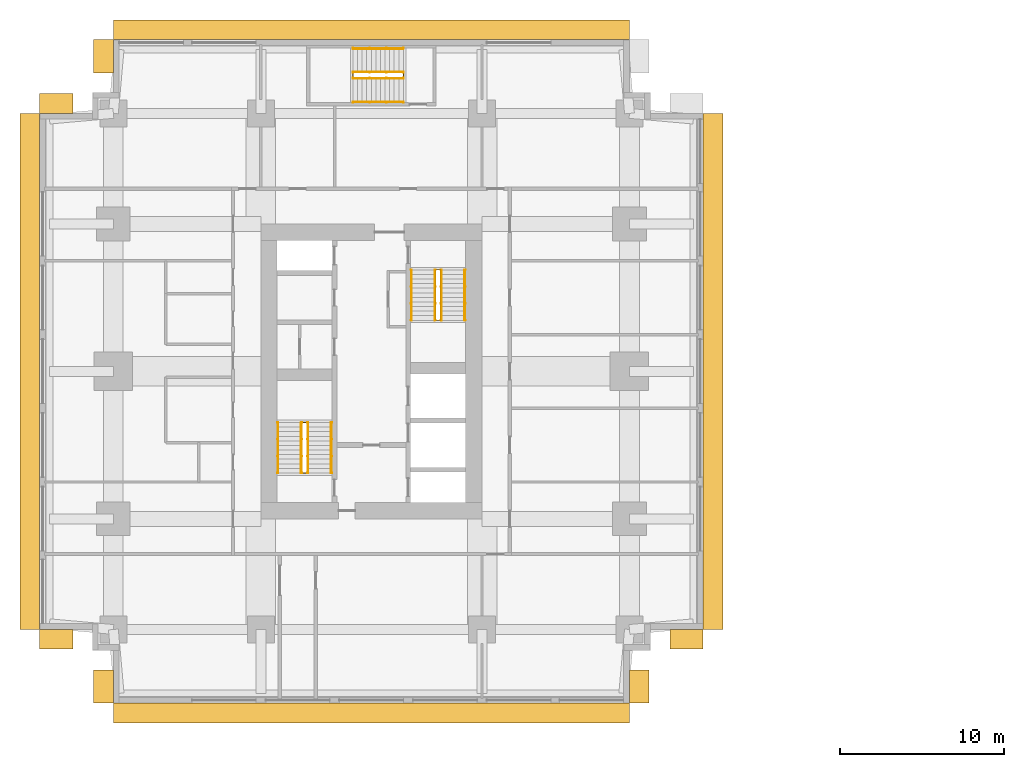
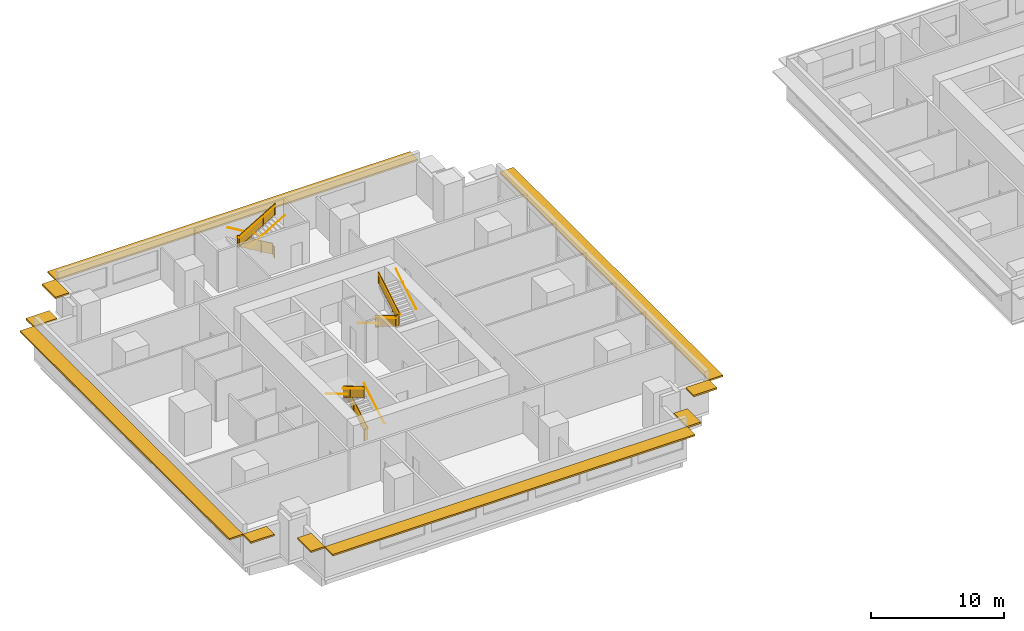
# One storey, part 10 of 11: 15 railings, 10 shading devices.
"""IFC4 building model written with IfcOpenShell, lengths in metres."""

import ifcopenshell
import ifcopenshell.guid

model = None  # the IFC model being written
_history = None  # IfcOwnerHistory: only IFC2X3 demands one
_inside = {}  # id of a spatial element -> (the spatial element, [elements in it])
_under = {}  # id of a project, library or spatial element -> (it, [spatial elements below it])
_declared = {}  # id of a project -> (the project, [libraries it declares])
_typed = {}  # id of a type object -> (the type object, [elements of that type])
_made_of = {}  # id of a material, layer set ... -> (it, [elements and type objects made of it])


def new_model(schema):
    """Start an empty IFC model of exactly this schema.

    Asked for "IFC4X3", IfcOpenShell would pick the latest addendum, in which some entities
    have other attributes; the version numbers below select the first issue.
    IFC2X3 requires an IfcOwnerHistory on every rooted entity: one is made here for all.
    """
    global model, _history
    if schema == "IFC4X3":
        model = ifcopenshell.file(schema_version=(4, 3, 0, 0))
    else:
        model = ifcopenshell.file(schema=schema)
    _inside.clear()
    _under.clear()
    _declared.clear()
    _typed.clear()
    _made_of.clear()
    _history = None
    if model.schema == "IFC2X3":
        org = make("IfcOrganization", Name="unknown")
        user = make(
            "IfcPersonAndOrganization",
            ThePerson=make("IfcPerson", FamilyName="unknown"),
            TheOrganization=org,
        )
        app = make(
            "IfcApplication",
            ApplicationDeveloper=org,
            Version="unknown",
            ApplicationFullName="unknown",
            ApplicationIdentifier="unknown",
        )
        _history = make(
            "IfcOwnerHistory",
            OwningUser=user,
            OwningApplication=app,
            ChangeAction="ADDED",
            CreationDate=0,
        )
    return model


def make(cls, **values):
    """One entity of the class cls with the attributes given. An attribute that is None is left unset."""
    return model.create_entity(
        cls, **{name: value for name, value in values.items() if value is not None}
    )


def rooted(cls, **values):
    """An entity with a GlobalId (a new one), such as an element, a storey or a relation."""
    return make(cls, GlobalId=ifcopenshell.guid.new(), OwnerHistory=_history, **values)


def si_unit(unit_type, name, prefix=None):
    """IfcSIUnit, for example si_unit("LENGTHUNIT", "METRE", prefix="MILLI")."""
    return make("IfcSIUnit", UnitType=unit_type, Prefix=prefix, Name=name)


def assignment(units):
    """IfcUnitAssignment: the units of a project."""
    return None if units is None else make("IfcUnitAssignment", Units=units)


def point(xyz):
    """IfcCartesianPoint."""
    return None if xyz is None else make("IfcCartesianPoint", Coordinates=xyz)


def direction(xyz):
    """IfcDirection."""
    return None if xyz is None else make("IfcDirection", DirectionRatios=xyz)


def frame(location, z_axis=None, x_axis=None):
    """IfcAxis2Placement3D, a coordinate frame: its origin and axes. An axis left out is left unset."""
    return make(
        "IfcAxis2Placement3D",
        Location=point(location),
        Axis=direction(z_axis),
        RefDirection=direction(x_axis),
    )


def frame_2d(location, x_axis=None):
    """IfcAxis2Placement2D, a coordinate frame in the plane: its origin and x axis."""
    return make(
        "IfcAxis2Placement2D", Location=point(location), RefDirection=direction(x_axis)
    )


def origin():
    """The frame at (0, 0, 0) with its axes left unset."""
    return frame((0.0, 0.0, 0.0))


def origin_2d():
    """The frame at (0, 0) in the plane with its x axis left unset."""
    return frame_2d((0.0, 0.0))


def place(relative_to, where):
    """IfcLocalPlacement: puts the frame where relative to a parent placement (None: the world)."""
    return make(
        "IfcLocalPlacement", PlacementRelTo=relative_to, RelativePlacement=where
    )


def context(
    kind, dimensions, precision=None, world=None, true_north=None, identifier=None
):
    """IfcGeometricRepresentationContext, for example the 3D "Model" context."""
    return make(
        "IfcGeometricRepresentationContext",
        ContextIdentifier=identifier,
        ContextType=kind,
        CoordinateSpaceDimension=dimensions,
        Precision=precision,
        WorldCoordinateSystem=world,
        TrueNorth=true_north,
    )


def subcontext(parent, identifier, kind, view, scale=None):
    """IfcGeometricRepresentationSubContext, for example "Body" below "Model"."""
    return make(
        "IfcGeometricRepresentationSubContext",
        ContextIdentifier=identifier,
        ContextType=kind,
        ParentContext=parent,
        TargetScale=scale,
        TargetView=view,
    )


def project(units=None, contexts=None):
    """IfcProject with its units and contexts."""
    return rooted(
        "IfcProject",
        Name="project",
        RepresentationContexts=contexts,
        UnitsInContext=assignment(units),
    )


def spatial(cls, under=None, at=None, **own):
    """A site, building, storey or space (cls), placed at a placement, below another one or the project."""
    s = rooted(cls, ObjectPlacement=at, **own)
    if under is not None:
        _under.setdefault(under.id(), (under, []))[1].append(s)
    return s


def polyline(points):
    """IfcPolyline through the points."""
    return make("IfcPolyline", Points=[point(p) for p in points])


def profile(cls, at=None, kind="AREA", **sizes):
    """A parametric profile (cls). Its sizes go by their IFC names, for example OverallWidth=200.0."""
    return make(cls, ProfileType=kind, Position=at, **sizes)


def rectangle(**sizes):
    """IfcRectangleProfileDef."""
    return profile("IfcRectangleProfileDef", **sizes)


def circle(**sizes):
    """IfcCircleProfileDef."""
    return profile("IfcCircleProfileDef", **sizes)


def outline(outer, holes=None, kind="AREA"):
    """IfcArbitraryClosedProfileDef: a profile drawn as a closed curve; with holes, ...WithVoids."""
    if holes is None:
        return make("IfcArbitraryClosedProfileDef", ProfileType=kind, OuterCurve=outer)
    return make(
        "IfcArbitraryProfileDefWithVoids",
        ProfileType=kind,
        OuterCurve=outer,
        InnerCurves=holes,
    )


def extrude(swept, where, along, depth):
    """IfcExtrudedAreaSolid: the profile swept, set in the frame where, extruded along a direction by depth."""
    return make(
        "IfcExtrudedAreaSolid",
        SweptArea=swept,
        Position=where,
        ExtrudedDirection=direction(along),
        Depth=depth,
    )


def shape(context_of_items, identifier, shape_type, items):
    """IfcShapeRepresentation: the items that make up one representation, for example the "Body"."""
    return make(
        "IfcShapeRepresentation",
        ContextOfItems=context_of_items,
        RepresentationIdentifier=identifier,
        RepresentationType=shape_type,
        Items=items,
    )


def material(Name=None, Category=None):
    """IfcMaterial."""
    return make("IfcMaterial", Name=Name, Category=Category)


def layer(
    of_material, thickness, ventilated=None, Name=None, Category=None, Priority=None
):
    """IfcMaterialLayer: one layer of a wall or slab, of a material (None: an air gap)."""
    return make(
        "IfcMaterialLayer",
        Material=of_material,
        LayerThickness=thickness,
        IsVentilated=ventilated,
        Name=Name,
        Category=Category,
        Priority=Priority,
    )


def layer_set(layers, Name=None):
    """IfcMaterialLayerSet."""
    return make("IfcMaterialLayerSet", MaterialLayers=layers, LayerSetName=Name)


def made_of(thing, what):
    """Note that an element or type object is made of a material, layer set ...; save() writes the relation."""
    if what is not None:
        _made_of.setdefault(what.id(), (what, []))[1].append(thing)
    return thing


def type_object(cls, material=None, **own):
    """A type object (cls), such as IfcWallType, which elements share."""
    return made_of(rooted(cls, **own), material)


def element(
    cls,
    number,
    at=None,
    inside=None,
    cuts=None,
    type_object=None,
    material=None,
    context=None,
    identifier="Body",
    shape_type=None,
    held_by="IfcProductDefinitionShape",
    body=None,
    shapes=None,
    **own,
):
    """One element of the class cls, such as IfcWall. Its Tag is "e" and its number.

    at: its placement. inside: the storey or other place that contains it. cuts: it is an
    opening in that element (IfcRelVoidsElement). A single representation is given by context,
    identifier, shape_type and body (its items); several are given by shapes. held_by: the class
    of the entity that holds the representations. save() writes the other relations.
    """
    e = rooted(cls, Tag="e%d" % number, ObjectPlacement=at, **own)
    if body is not None:
        shapes = [shape(context, identifier, shape_type, body)]
    if shapes is not None:
        e.Representation = make(held_by, Representations=shapes)
    if inside is not None:
        _inside.setdefault(inside.id(), (inside, []))[1].append(e)
    if cuts is not None:
        rooted(
            "IfcRelVoidsElement", RelatingBuildingElement=cuts, RelatedOpeningElement=e
        )
    if type_object is not None:
        _typed.setdefault(type_object.id(), (type_object, []))[1].append(e)
    return made_of(e, material)


def aggregate(whole, parts):
    """IfcRelAggregates: a whole, such as a stair, and the parts it consists of."""
    return rooted("IfcRelAggregates", RelatingObject=whole, RelatedObjects=parts)


def save(model, path):
    """Write the relations noted so far, then the file.

    IfcRelAggregates (storeys below a building ...), IfcRelContainedInSpatialStructure (elements
    in a storey), IfcRelDefinesByType, IfcRelAssociatesMaterial and IfcRelDeclares: one each for
    every whole, place, type object, material and project.
    """
    for whole, parts in _under.values():
        aggregate(whole, parts)
    for where, things in _inside.values():
        rooted(
            "IfcRelContainedInSpatialStructure",
            RelatedElements=things,
            RelatingStructure=where,
        )
    for kind, things in _typed.values():
        rooted("IfcRelDefinesByType", RelatedObjects=things, RelatingType=kind)
    for what, things in _made_of.values():
        rooted("IfcRelAssociatesMaterial", RelatedObjects=things, RelatingMaterial=what)
    for by, libraries in _declared.values():
        rooted("IfcRelDeclares", RelatingContext=by, RelatedDefinitions=libraries)
    model.write(path)


model = new_model("IFC4")

# Units and contexts
model_context = context("Model", 3, precision=1e-05, world=origin(), true_north=direction((0.0, 1.0)))
body_context = subcontext(model_context, "Body", "Model", "MODEL_VIEW")
ifc_project = project(units=[si_unit("LENGTHUNIT", "METRE"), si_unit("AREAUNIT", "SQUARE_METRE"), si_unit("VOLUMEUNIT", "CUBIC_METRE"), si_unit("PLANEANGLEUNIT", "RADIAN"), si_unit("MASSUNIT", "GRAM", prefix="KILO")], contexts=[model_context])

# Site, building, storey
site_placement = place(None, origin())
site = spatial("IfcSite", under=ifc_project, at=site_placement, CompositionType="ELEMENT")
building_placement = place(site_placement, origin())
building = spatial("IfcBuilding", under=site, at=building_placement, Name="Namib Vertical Campus", CompositionType="ELEMENT")
storey_placement = place(building_placement, frame((0.0, 0.0, 181.0)))
storey = spatial("IfcBuildingStorey", under=building, at=storey_placement, Name="L42", CompositionType="ELEMENT", Elevation=181.0)

# Railings
ifc_material_1 = material(Name="Steel handrail", Category="steel")
railing_type_1 = type_object("IfcRailingType", Name="Handrail 900", PredefinedType="HANDRAIL", material=ifc_material_1)
railing_1_placement = place(storey_placement, frame((17.800048828125, 14.050048828125, 0.166748046875)))
element("IfcRailing", 1, at=railing_1_placement, inside=storey, type_object=railing_type_1, Name="Handrail HR1 A-S1 L42 1", PredefinedType="HANDRAIL", context=body_context, shape_type="SweptSolid", body=[
    extrude(circle(Radius=0.02392578125, at=origin_2d()), frame((0.0, 0.0, 0.8759765625), z_axis=(0.0, 0.859290745958, 0.51148745235), x_axis=(-1.0, 0.0, 0.0)), (0.0, 0.0, 1.0), 3.584228515625),
    extrude(circle(Radius=0.008056640625, at=origin_2d()), frame((0.0, 0.0, 0.8759765625), z_axis=(1.0, 0.0, 0.0), x_axis=(0.0, 0.0, 1.0)), (0.0, 0.0, 1.0), 0.050048828125),
    extrude(circle(Radius=0.008056640625, at=origin_2d()), frame((0.0, 1.026611328125, 1.48681640625), z_axis=(1.0, 0.0, 0.0), x_axis=(0.0, 0.0, 1.0)), (0.0, 0.0, 1.0), 0.050048828125),
    extrude(circle(Radius=0.008056640625, at=origin_2d()), frame((0.0, 2.05322265625, 2.09814453125), z_axis=(1.0, 0.0, 0.0), x_axis=(0.0, 0.0, 1.0)), (0.0, 0.0, 1.0), 0.050048828125),
    extrude(circle(Radius=0.008056640625, at=origin_2d()), frame((0.0, 3.079833984375, 2.708984375), z_axis=(1.0, 0.0, 0.0), x_axis=(0.0, 0.0, 1.0)), (0.0, 0.0, 1.0), 0.050048828125),
])
railing_2_placement = place(storey_placement, frame((14.550048828125, 17.1298828125, 2.166748046875)))
element("IfcRailing", 2, at=railing_2_placement, inside=storey, type_object=railing_type_1, Name="Handrail HR1 A-S1 L42 2", PredefinedType="HANDRAIL", context=body_context, shape_type="SweptSolid", body=[
    extrude(circle(Radius=0.02392578125, at=origin_2d()), frame((0.0, 0.0, 0.8759765625), z_axis=(0.0, -0.859290745958, 0.51148745235), x_axis=(1.0, 0.0, 0.0)), (0.0, 0.0, 1.0), 3.584228515625),
    extrude(circle(Radius=0.008056640625, at=origin_2d()), frame((0.0, 0.0, 0.8759765625), z_axis=(-1.0, 0.0, 0.0), x_axis=(0.0, 0.0, 1.0)), (0.0, 0.0, 1.0), 0.050048828125),
    extrude(circle(Radius=0.008056640625, at=origin_2d()), frame((0.0, -1.026611328125, 1.48681640625), z_axis=(-1.0, 0.0, 0.0), x_axis=(0.0, 0.0, 1.0)), (0.0, 0.0, 1.0), 0.050048828125),
    extrude(circle(Radius=0.008056640625, at=origin_2d()), frame((0.0, -2.05322265625, 2.09814453125), z_axis=(-1.0, 0.0, 0.0), x_axis=(0.0, 0.0, 1.0)), (0.0, 0.0, 1.0), 0.050048828125),
    extrude(circle(Radius=0.008056640625, at=origin_2d()), frame((0.0, -3.079833984375, 2.708984375), z_axis=(-1.0, 0.0, 0.0), x_axis=(0.0, 0.0, 1.0)), (0.0, 0.0, 1.0), 0.050048828125),
])
railing_3_placement = place(storey_placement, frame((16.375, 14.050048828125, 0.166748046875)))
element("IfcRailing", 3, at=railing_3_placement, inside=storey, type_object=railing_type_1, Name="Handrail HR1 A-S1 L42 1 at the well", PredefinedType="HANDRAIL", context=body_context, shape_type="SweptSolid", body=[
    extrude(circle(Radius=0.02392578125, at=origin_2d()), frame((0.0, 0.0, 0.8759765625), z_axis=(0.0, 0.859290745958, 0.51148745235), x_axis=(-1.0, 0.0, 0.0)), (0.0, 0.0, 1.0), 3.584228515625),
    extrude(circle(Radius=0.008056640625, at=origin_2d()), frame((0.0, 0.0, 0.8759765625), z_axis=(-1.0, 0.0, 0.0), x_axis=(0.0, 0.0, 1.0)), (0.0, 0.0, 1.0), 0.0400390625),
    extrude(circle(Radius=0.008056640625, at=origin_2d()), frame((0.0, 1.026611328125, 1.48681640625), z_axis=(-1.0, 0.0, 0.0), x_axis=(0.0, 0.0, 1.0)), (0.0, 0.0, 1.0), 0.0400390625),
    extrude(circle(Radius=0.008056640625, at=origin_2d()), frame((0.0, 2.05322265625, 2.09814453125), z_axis=(-1.0, 0.0, 0.0), x_axis=(0.0, 0.0, 1.0)), (0.0, 0.0, 1.0), 0.0400390625),
    extrude(circle(Radius=0.008056640625, at=origin_2d()), frame((0.0, 3.079833984375, 2.708984375), z_axis=(-1.0, 0.0, 0.0), x_axis=(0.0, 0.0, 1.0)), (0.0, 0.0, 1.0), 0.0400390625),
])
railing_4_placement = place(storey_placement, frame((15.97509765625, 17.1298828125, 2.166748046875)))
element("IfcRailing", 4, at=railing_4_placement, inside=storey, type_object=railing_type_1, Name="Handrail HR1 A-S1 L42 2 at the well", PredefinedType="HANDRAIL", context=body_context, shape_type="SweptSolid", body=[
    extrude(circle(Radius=0.02392578125, at=origin_2d()), frame((0.0, 0.0, 0.8759765625), z_axis=(0.0, -0.859290745958, 0.51148745235), x_axis=(1.0, 0.0, 0.0)), (0.0, 0.0, 1.0), 3.584228515625),
    extrude(circle(Radius=0.008056640625, at=origin_2d()), frame((0.0, 0.0, 0.8759765625), z_axis=(1.0, 0.0, 0.0), x_axis=(0.0, 0.0, 1.0)), (0.0, 0.0, 1.0), 0.0400390625),
    extrude(circle(Radius=0.008056640625, at=origin_2d()), frame((0.0, -1.026611328125, 1.48681640625), z_axis=(1.0, 0.0, 0.0), x_axis=(0.0, 0.0, 1.0)), (0.0, 0.0, 1.0), 0.0400390625),
    extrude(circle(Radius=0.008056640625, at=origin_2d()), frame((0.0, -2.05322265625, 2.09814453125), z_axis=(1.0, 0.0, 0.0), x_axis=(0.0, 0.0, 1.0)), (0.0, 0.0, 1.0), 0.0400390625),
    extrude(circle(Radius=0.008056640625, at=origin_2d()), frame((0.0, -3.079833984375, 2.708984375), z_axis=(1.0, 0.0, 0.0), x_axis=(0.0, 0.0, 1.0)), (0.0, 0.0, 1.0), 0.0400390625),
])
railing_5_placement = place(storey_placement, frame((22.699951171875, 26.449951171875, 0.166748046875)))
element("IfcRailing", 5, at=railing_5_placement, inside=storey, type_object=railing_type_1, Name="Handrail HR1 A-S2 L42 1", PredefinedType="HANDRAIL", context=body_context, shape_type="SweptSolid", body=[
    extrude(circle(Radius=0.02392578125, at=origin_2d()), frame((0.0, 0.0, 0.8759765625), z_axis=(0.0, -0.859290745958, 0.51148745235), x_axis=(1.0, 0.0, 0.0)), (0.0, 0.0, 1.0), 3.584228515625),
    extrude(circle(Radius=0.008056640625, at=origin_2d()), frame((0.0, 0.0, 0.8759765625), z_axis=(-1.0, 0.0, 0.0), x_axis=(0.0, 0.0, 1.0)), (0.0, 0.0, 1.0), 0.050048828125),
    extrude(circle(Radius=0.008056640625, at=origin_2d()), frame((0.0, -1.026611328125, 1.48681640625), z_axis=(-1.0, 0.0, 0.0), x_axis=(0.0, 0.0, 1.0)), (0.0, 0.0, 1.0), 0.050048828125),
    extrude(circle(Radius=0.008056640625, at=origin_2d()), frame((0.0, -2.05322265625, 2.09814453125), z_axis=(-1.0, 0.0, 0.0), x_axis=(0.0, 0.0, 1.0)), (0.0, 0.0, 1.0), 0.050048828125),
    extrude(circle(Radius=0.008056640625, at=origin_2d()), frame((0.0, -3.079833984375, 2.708984375), z_axis=(-1.0, 0.0, 0.0), x_axis=(0.0, 0.0, 1.0)), (0.0, 0.0, 1.0), 0.050048828125),
])
railing_6_placement = place(storey_placement, frame((25.949951171875, 23.3701171875, 2.166748046875)))
element("IfcRailing", 6, at=railing_6_placement, inside=storey, type_object=railing_type_1, Name="Handrail HR1 A-S2 L42 2", PredefinedType="HANDRAIL", context=body_context, shape_type="SweptSolid", body=[
    extrude(circle(Radius=0.02392578125, at=origin_2d()), frame((0.0, 0.0, 0.8759765625), z_axis=(0.0, 0.859290745958, 0.51148745235), x_axis=(-1.0, 0.0, 0.0)), (0.0, 0.0, 1.0), 3.584228515625),
    extrude(circle(Radius=0.008056640625, at=origin_2d()), frame((0.0, 0.0, 0.8759765625), z_axis=(1.0, 0.0, 0.0), x_axis=(0.0, 0.0, 1.0)), (0.0, 0.0, 1.0), 0.050048828125),
    extrude(circle(Radius=0.008056640625, at=origin_2d()), frame((0.0, 1.026611328125, 1.48681640625), z_axis=(1.0, 0.0, 0.0), x_axis=(0.0, 0.0, 1.0)), (0.0, 0.0, 1.0), 0.050048828125),
    extrude(circle(Radius=0.008056640625, at=origin_2d()), frame((0.0, 2.05322265625, 2.09814453125), z_axis=(1.0, 0.0, 0.0), x_axis=(0.0, 0.0, 1.0)), (0.0, 0.0, 1.0), 0.050048828125),
    extrude(circle(Radius=0.008056640625, at=origin_2d()), frame((0.0, 3.079833984375, 2.708984375), z_axis=(1.0, 0.0, 0.0), x_axis=(0.0, 0.0, 1.0)), (0.0, 0.0, 1.0), 0.050048828125),
])
railing_7_placement = place(storey_placement, frame((24.125, 26.449951171875, 0.166748046875)))
element("IfcRailing", 7, at=railing_7_placement, inside=storey, type_object=railing_type_1, Name="Handrail HR1 A-S2 L42 1 at the well", PredefinedType="HANDRAIL", context=body_context, shape_type="SweptSolid", body=[
    extrude(circle(Radius=0.02392578125, at=origin_2d()), frame((0.0, 0.0, 0.8759765625), z_axis=(0.0, -0.859290745958, 0.51148745235), x_axis=(1.0, 0.0, 0.0)), (0.0, 0.0, 1.0), 3.584228515625),
    extrude(circle(Radius=0.008056640625, at=origin_2d()), frame((0.0, 0.0, 0.8759765625), z_axis=(1.0, 0.0, 0.0), x_axis=(0.0, 0.0, 1.0)), (0.0, 0.0, 1.0), 0.0400390625),
    extrude(circle(Radius=0.008056640625, at=origin_2d()), frame((0.0, -1.026611328125, 1.48681640625), z_axis=(1.0, 0.0, 0.0), x_axis=(0.0, 0.0, 1.0)), (0.0, 0.0, 1.0), 0.0400390625),
    extrude(circle(Radius=0.008056640625, at=origin_2d()), frame((0.0, -2.05322265625, 2.09814453125), z_axis=(1.0, 0.0, 0.0), x_axis=(0.0, 0.0, 1.0)), (0.0, 0.0, 1.0), 0.0400390625),
    extrude(circle(Radius=0.008056640625, at=origin_2d()), frame((0.0, -3.079833984375, 2.708984375), z_axis=(1.0, 0.0, 0.0), x_axis=(0.0, 0.0, 1.0)), (0.0, 0.0, 1.0), 0.0400390625),
])
railing_8_placement = place(storey_placement, frame((24.52490234375, 23.3701171875, 2.166748046875)))
element("IfcRailing", 8, at=railing_8_placement, inside=storey, type_object=railing_type_1, Name="Handrail HR1 A-S2 L42 2 at the well", PredefinedType="HANDRAIL", context=body_context, shape_type="SweptSolid", body=[
    extrude(circle(Radius=0.02392578125, at=origin_2d()), frame((0.0, 0.0, 0.8759765625), z_axis=(0.0, 0.859290745958, 0.51148745235), x_axis=(-1.0, 0.0, 0.0)), (0.0, 0.0, 1.0), 3.584228515625),
    extrude(circle(Radius=0.008056640625, at=origin_2d()), frame((0.0, 0.0, 0.8759765625), z_axis=(-1.0, 0.0, 0.0), x_axis=(0.0, 0.0, 1.0)), (0.0, 0.0, 1.0), 0.0400390625),
    extrude(circle(Radius=0.008056640625, at=origin_2d()), frame((0.0, 1.026611328125, 1.48681640625), z_axis=(-1.0, 0.0, 0.0), x_axis=(0.0, 0.0, 1.0)), (0.0, 0.0, 1.0), 0.0400390625),
    extrude(circle(Radius=0.008056640625, at=origin_2d()), frame((0.0, 2.05322265625, 2.09814453125), z_axis=(-1.0, 0.0, 0.0), x_axis=(0.0, 0.0, 1.0)), (0.0, 0.0, 1.0), 0.0400390625),
    extrude(circle(Radius=0.008056640625, at=origin_2d()), frame((0.0, 3.079833984375, 2.708984375), z_axis=(-1.0, 0.0, 0.0), x_axis=(0.0, 0.0, 1.0)), (0.0, 0.0, 1.0), 0.0400390625),
])
railing_9_placement = place(storey_placement, frame((22.199951171875, 39.949951171875, 0.166748046875)))
element("IfcRailing", 9, at=railing_9_placement, inside=storey, type_object=railing_type_1, Name="Handrail HR1 A-S3 L42 1", PredefinedType="HANDRAIL", context=body_context, shape_type="SweptSolid", body=[
    extrude(circle(Radius=0.02392578125, at=origin_2d()), frame((0.0, 0.0, 0.8759765625), z_axis=(-0.859290745958, 0.0, 0.51148745235), x_axis=(0.0, -1.0, 0.0)), (0.0, 0.0, 1.0), 3.584228515625),
    extrude(circle(Radius=0.008056640625, at=origin_2d()), frame((0.0, 0.0, 0.8759765625), z_axis=(0.0, 1.0, 0.0), x_axis=(0.0, 0.0, 1.0)), (0.0, 0.0, 1.0), 0.050048828125),
    extrude(circle(Radius=0.008056640625, at=origin_2d()), frame((-1.026611328125, 0.0, 1.48681640625), z_axis=(0.0, 1.0, 0.0), x_axis=(0.0, 0.0, 1.0)), (0.0, 0.0, 1.0), 0.050048828125),
    extrude(circle(Radius=0.008056640625, at=origin_2d()), frame((-2.05322265625, 0.0, 2.09814453125), z_axis=(0.0, 1.0, 0.0), x_axis=(0.0, 0.0, 1.0)), (0.0, 0.0, 1.0), 0.050048828125),
    extrude(circle(Radius=0.008056640625, at=origin_2d()), frame((-3.079833984375, 0.0, 2.708984375), z_axis=(0.0, 1.0, 0.0), x_axis=(0.0, 0.0, 1.0)), (0.0, 0.0, 1.0), 0.050048828125),
])
railing_10_placement = place(storey_placement, frame((19.1201171875, 36.699951171875, 2.166748046875)))
element("IfcRailing", 10, at=railing_10_placement, inside=storey, type_object=railing_type_1, Name="Handrail HR1 A-S3 L42 2", PredefinedType="HANDRAIL", context=body_context, shape_type="SweptSolid", body=[
    extrude(circle(Radius=0.02392578125, at=origin_2d()), frame((0.0, 0.0, 0.8759765625), z_axis=(0.859290745958, 0.0, 0.51148745235), x_axis=(0.0, 1.0, 0.0)), (0.0, 0.0, 1.0), 3.584228515625),
    extrude(circle(Radius=0.008056640625, at=origin_2d()), frame((0.0, 0.0, 0.8759765625), z_axis=(0.0, -1.0, 0.0), x_axis=(0.0, 0.0, 1.0)), (0.0, 0.0, 1.0), 0.050048828125),
    extrude(circle(Radius=0.008056640625, at=origin_2d()), frame((1.026611328125, 0.0, 1.48681640625), z_axis=(0.0, -1.0, 0.0), x_axis=(0.0, 0.0, 1.0)), (0.0, 0.0, 1.0), 0.050048828125),
    extrude(circle(Radius=0.008056640625, at=origin_2d()), frame((2.05322265625, 0.0, 2.09814453125), z_axis=(0.0, -1.0, 0.0), x_axis=(0.0, 0.0, 1.0)), (0.0, 0.0, 1.0), 0.050048828125),
    extrude(circle(Radius=0.008056640625, at=origin_2d()), frame((3.079833984375, 0.0, 2.708984375), z_axis=(0.0, -1.0, 0.0), x_axis=(0.0, 0.0, 1.0)), (0.0, 0.0, 1.0), 0.050048828125),
])
railing_11_placement = place(storey_placement, frame((22.199951171875, 38.52490234375, 0.166748046875)))
element("IfcRailing", 11, at=railing_11_placement, inside=storey, type_object=railing_type_1, Name="Handrail HR1 A-S3 L42 1 at the well", PredefinedType="HANDRAIL", context=body_context, shape_type="SweptSolid", body=[
    extrude(circle(Radius=0.02392578125, at=origin_2d()), frame((0.0, 0.0, 0.8759765625), z_axis=(-0.859290745958, 0.0, 0.51148745235), x_axis=(0.0, -1.0, 0.0)), (0.0, 0.0, 1.0), 3.584228515625),
    extrude(circle(Radius=0.008056640625, at=origin_2d()), frame((0.0, 0.0, 0.8759765625), z_axis=(0.0, -1.0, 0.0), x_axis=(0.0, 0.0, 1.0)), (0.0, 0.0, 1.0), 0.0400390625),
    extrude(circle(Radius=0.008056640625, at=origin_2d()), frame((-1.026611328125, 0.0, 1.48681640625), z_axis=(0.0, -1.0, 0.0), x_axis=(0.0, 0.0, 1.0)), (0.0, 0.0, 1.0), 0.0400390625),
    extrude(circle(Radius=0.008056640625, at=origin_2d()), frame((-2.05322265625, 0.0, 2.09814453125), z_axis=(0.0, -1.0, 0.0), x_axis=(0.0, 0.0, 1.0)), (0.0, 0.0, 1.0), 0.0400390625),
    extrude(circle(Radius=0.008056640625, at=origin_2d()), frame((-3.079833984375, 0.0, 2.708984375), z_axis=(0.0, -1.0, 0.0), x_axis=(0.0, 0.0, 1.0)), (0.0, 0.0, 1.0), 0.0400390625),
])
railing_12_placement = place(storey_placement, frame((19.1201171875, 38.125, 2.166748046875)))
element("IfcRailing", 12, at=railing_12_placement, inside=storey, type_object=railing_type_1, Name="Handrail HR1 A-S3 L42 2 at the well", PredefinedType="HANDRAIL", context=body_context, shape_type="SweptSolid", body=[
    extrude(circle(Radius=0.02392578125, at=origin_2d()), frame((0.0, 0.0, 0.8759765625), z_axis=(0.859290745958, 0.0, 0.51148745235), x_axis=(0.0, 1.0, 0.0)), (0.0, 0.0, 1.0), 3.584228515625),
    extrude(circle(Radius=0.008056640625, at=origin_2d()), frame((0.0, 0.0, 0.8759765625), z_axis=(0.0, 1.0, 0.0), x_axis=(0.0, 0.0, 1.0)), (0.0, 0.0, 1.0), 0.0400390625),
    extrude(circle(Radius=0.008056640625, at=origin_2d()), frame((1.026611328125, 0.0, 1.48681640625), z_axis=(0.0, 1.0, 0.0), x_axis=(0.0, 0.0, 1.0)), (0.0, 0.0, 1.0), 0.0400390625),
    extrude(circle(Radius=0.008056640625, at=origin_2d()), frame((2.05322265625, 0.0, 2.09814453125), z_axis=(0.0, 1.0, 0.0), x_axis=(0.0, 0.0, 1.0)), (0.0, 0.0, 1.0), 0.0400390625),
    extrude(circle(Radius=0.008056640625, at=origin_2d()), frame((3.079833984375, 0.0, 2.708984375), z_axis=(0.0, 1.0, 0.0), x_axis=(0.0, 0.0, 1.0)), (0.0, 0.0, 1.0), 0.0400390625),
])
ifc_material_2 = material(Name="Steel balustrade", Category="steel")
railing_type_2 = type_object("IfcRailingType", Name="Stair guard 1100", PredefinedType="GUARDRAIL", material=ifc_material_2)
railing_13_placement = place(storey_placement, frame((16.02490234375, 14.050048828125, 0.0)))
element("IfcRailing", 13, at=railing_13_placement, inside=storey, type_object=railing_type_2, Name="Stair guard GR1 A-S1 L42", PredefinedType="GUARDRAIL", context=body_context, shape_type="SweptSolid", body=[
    extrude(circle(Radius=0.02392578125, at=origin_2d()), frame((0.0, 0.0, 1.076171875), z_axis=(1.0, 0.0, 0.0), x_axis=(0.0, 1.0, 0.0)), (0.0, 0.0, 1.0), 0.300048828125),
    extrude(outline(polyline([(0.02099609375, 0.050048828125), (0.279052734375, 0.050048828125), (0.279052734375, 1.052001953125), (0.02099609375, 1.052001953125), (0.02099609375, 0.050048828125)])), frame((0.0, 0.010009765625, 0.0), z_axis=(0.0, -1.0, 0.0), x_axis=(1.0, 0.0, 0.0)), (0.0, 0.0, 1.0), 0.02001953125),
    extrude(circle(Radius=0.02392578125, at=origin_2d()), frame((0.300048828125, 0.0, 1.076171875), z_axis=(0.0, 0.0, 1.0), x_axis=(1.0, 0.0, 0.0)), (0.0, 0.0, 1.0), 0.166748046875),
    extrude(circle(Radius=0.02392578125, at=origin_2d()), frame((0.300048828125, 0.0, 1.24267578125), z_axis=(0.0, 0.859290745958, 0.51148745235), x_axis=(-1.0, 0.0, 0.0)), (0.0, 0.0, 1.0), 3.584228515625),
    extrude(outline(polyline([(0.02099609375, 0.0625), (3.058837890625, 1.870849609375), (3.058837890625, 2.872802734375), (0.02099609375, 1.064453125), (0.02099609375, 0.0625)])), frame((0.2900390625, 0.0, 0.166748046875), z_axis=(1.0, 0.0, 0.0), x_axis=(0.0, 1.0, 0.0)), (0.0, 0.0, 1.0), 0.02001953125),
    extrude(circle(Radius=0.02392578125, at=origin_2d()), frame((0.300048828125, 3.079833984375, 3.076171875), z_axis=(-1.0, 0.0, 0.0), x_axis=(0.0, -1.0, 0.0)), (0.0, 0.0, 1.0), 0.300048828125),
    extrude(outline(polyline([(0.02099609375, 0.050048828125), (0.279052734375, 0.050048828125), (0.279052734375, 1.052001953125), (0.02099609375, 1.052001953125), (0.02099609375, 0.050048828125)])), frame((0.300048828125, 3.06982421875, 2.0), z_axis=(0.0, 1.0, 0.0), x_axis=(-1.0, 0.0, 0.0)), (0.0, 0.0, 1.0), 0.02001953125),
    extrude(circle(Radius=0.02392578125, at=origin_2d()), frame((0.0, 3.079833984375, 3.076171875), z_axis=(0.0, 0.0, 1.0), x_axis=(1.0, 0.0, 0.0)), (0.0, 0.0, 1.0), 0.166748046875),
    extrude(circle(Radius=0.02392578125, at=origin_2d()), frame((0.0, 3.079833984375, 3.24267578125), z_axis=(0.0, -0.859290745958, 0.51148745235), x_axis=(1.0, 0.0, 0.0)), (0.0, 0.0, 1.0), 3.584228515625),
    extrude(outline(polyline([(0.02099609375, 0.0625), (3.058837890625, 1.870849609375), (3.058837890625, 2.872802734375), (0.02099609375, 1.064453125), (0.02099609375, 0.0625)])), frame((0.010009765625, 3.079833984375, 2.166748046875), z_axis=(-1.0, 0.0, 0.0), x_axis=(0.0, -1.0, 0.0)), (0.0, 0.0, 1.0), 0.02001953125),
    extrude(circle(Radius=0.02392578125, at=origin_2d()), frame((0.0, 0.0, 5.076171875), z_axis=(0.0, -1.0, 0.0), x_axis=(1.0, 0.0, 0.0)), (0.0, 0.0, 1.0), 0.050048828125),
    extrude(outline(polyline([(0.02099609375, 0.050048828125), (0.029052734375, 0.050048828125), (0.029052734375, 1.052001953125), (0.02099609375, 1.052001953125), (0.02099609375, 0.050048828125)])), frame((0.010009765625, 0.0, 4.0), z_axis=(-1.0, 0.0, 0.0), x_axis=(0.0, -1.0, 0.0)), (0.0, 0.0, 1.0), 0.02001953125),
    extrude(circle(Radius=0.02099609375, at=origin_2d()), origin(), (0.0, 0.0, 1.0), 1.052001953125),
    extrude(circle(Radius=0.02099609375, at=origin_2d()), frame((0.300048828125, 0.0, 0.166748046875)), (0.0, 0.0, 1.0), 1.052001953125),
    extrude(circle(Radius=0.02099609375, at=origin_2d()), frame((0.300048828125, 1.026611328125, 0.666748046875)), (0.0, 0.0, 1.0), 1.1630859375),
    extrude(circle(Radius=0.02099609375, at=origin_2d()), frame((0.300048828125, 2.05322265625, 1.33349609375)), (0.0, 0.0, 1.0), 1.107421875),
    extrude(circle(Radius=0.02099609375, at=origin_2d()), frame((0.300048828125, 3.079833984375, 2.0)), (0.0, 0.0, 1.0), 1.052001953125),
    extrude(circle(Radius=0.02099609375, at=origin_2d()), frame((0.0, 3.079833984375, 2.166748046875)), (0.0, 0.0, 1.0), 1.052001953125),
    extrude(circle(Radius=0.02099609375, at=origin_2d()), frame((0.0, 2.05322265625, 2.666748046875)), (0.0, 0.0, 1.0), 1.1630859375),
    extrude(circle(Radius=0.02099609375, at=origin_2d()), frame((0.0, 1.026611328125, 3.33349609375)), (0.0, 0.0, 1.0), 1.107421875),
    extrude(circle(Radius=0.02099609375, at=origin_2d()), frame((0.0, 0.0, 4.0)), (0.0, 0.0, 1.0), 1.052001953125),
    extrude(circle(Radius=0.02099609375, at=origin_2d()), frame((0.0, -0.050048828125, 4.0)), (0.0, 0.0, 1.0), 1.052001953125),
])
railing_14_placement = place(storey_placement, frame((24.47509765625, 26.449951171875, 0.0)))
element("IfcRailing", 14, at=railing_14_placement, inside=storey, type_object=railing_type_2, Name="Stair guard GR1 A-S2 L42", PredefinedType="GUARDRAIL", context=body_context, shape_type="SweptSolid", body=[
    extrude(circle(Radius=0.02392578125, at=origin_2d()), frame((0.0, 0.0, 1.076171875), z_axis=(-1.0, 0.0, 0.0), x_axis=(0.0, -1.0, 0.0)), (0.0, 0.0, 1.0), 0.300048828125),
    extrude(outline(polyline([(0.02099609375, 0.050048828125), (0.279052734375, 0.050048828125), (0.279052734375, 1.052001953125), (0.02099609375, 1.052001953125), (0.02099609375, 0.050048828125)])), frame((0.0, -0.010009765625, 0.0), z_axis=(0.0, 1.0, 0.0), x_axis=(-1.0, 0.0, 0.0)), (0.0, 0.0, 1.0), 0.02001953125),
    extrude(circle(Radius=0.02392578125, at=origin_2d()), frame((-0.300048828125, 0.0, 1.076171875), z_axis=(0.0, 0.0, 1.0), x_axis=(1.0, 0.0, 0.0)), (0.0, 0.0, 1.0), 0.166748046875),
    extrude(circle(Radius=0.02392578125, at=origin_2d()), frame((-0.300048828125, 0.0, 1.24267578125), z_axis=(0.0, -0.859290745958, 0.51148745235), x_axis=(1.0, 0.0, 0.0)), (0.0, 0.0, 1.0), 3.584228515625),
    extrude(outline(polyline([(0.02099609375, 0.0625), (3.058837890625, 1.870849609375), (3.058837890625, 2.872802734375), (0.02099609375, 1.064453125), (0.02099609375, 0.0625)])), frame((-0.2900390625, 0.0, 0.166748046875), z_axis=(-1.0, 0.0, 0.0), x_axis=(0.0, -1.0, 0.0)), (0.0, 0.0, 1.0), 0.02001953125),
    extrude(circle(Radius=0.02392578125, at=origin_2d()), frame((-0.300048828125, -3.079833984375, 3.076171875), z_axis=(1.0, 0.0, 0.0), x_axis=(0.0, 1.0, 0.0)), (0.0, 0.0, 1.0), 0.300048828125),
    extrude(outline(polyline([(0.02099609375, 0.050048828125), (0.279052734375, 0.050048828125), (0.279052734375, 1.052001953125), (0.02099609375, 1.052001953125), (0.02099609375, 0.050048828125)])), frame((-0.300048828125, -3.06982421875, 2.0), z_axis=(0.0, -1.0, 0.0), x_axis=(1.0, 0.0, 0.0)), (0.0, 0.0, 1.0), 0.02001953125),
    extrude(circle(Radius=0.02392578125, at=origin_2d()), frame((0.0, -3.079833984375, 3.076171875), z_axis=(0.0, 0.0, 1.0), x_axis=(1.0, 0.0, 0.0)), (0.0, 0.0, 1.0), 0.166748046875),
    extrude(circle(Radius=0.02392578125, at=origin_2d()), frame((0.0, -3.079833984375, 3.24267578125), z_axis=(0.0, 0.859290745958, 0.51148745235), x_axis=(-1.0, 0.0, 0.0)), (0.0, 0.0, 1.0), 3.584228515625),
    extrude(outline(polyline([(0.02099609375, 0.0625), (3.058837890625, 1.870849609375), (3.058837890625, 2.872802734375), (0.02099609375, 1.064453125), (0.02099609375, 0.0625)])), frame((-0.010009765625, -3.079833984375, 2.166748046875), z_axis=(1.0, 0.0, 0.0), x_axis=(0.0, 1.0, 0.0)), (0.0, 0.0, 1.0), 0.02001953125),
    extrude(circle(Radius=0.02392578125, at=origin_2d()), frame((0.0, 0.0, 5.076171875), z_axis=(0.0, 1.0, 0.0), x_axis=(-1.0, 0.0, 0.0)), (0.0, 0.0, 1.0), 0.050048828125),
    extrude(outline(polyline([(0.02099609375, 0.050048828125), (0.029052734375, 0.050048828125), (0.029052734375, 1.052001953125), (0.02099609375, 1.052001953125), (0.02099609375, 0.050048828125)])), frame((-0.010009765625, 0.0, 4.0), z_axis=(1.0, 0.0, 0.0), x_axis=(0.0, 1.0, 0.0)), (0.0, 0.0, 1.0), 0.02001953125),
    extrude(circle(Radius=0.02099609375, at=origin_2d()), origin(), (0.0, 0.0, 1.0), 1.052001953125),
    extrude(circle(Radius=0.02099609375, at=origin_2d()), frame((-0.300048828125, 0.0, 0.166748046875)), (0.0, 0.0, 1.0), 1.052001953125),
    extrude(circle(Radius=0.02099609375, at=origin_2d()), frame((-0.300048828125, -1.026611328125, 0.666748046875)), (0.0, 0.0, 1.0), 1.1630859375),
    extrude(circle(Radius=0.02099609375, at=origin_2d()), frame((-0.300048828125, -2.05322265625, 1.33349609375)), (0.0, 0.0, 1.0), 1.107421875),
    extrude(circle(Radius=0.02099609375, at=origin_2d()), frame((-0.300048828125, -3.079833984375, 2.0)), (0.0, 0.0, 1.0), 1.052001953125),
    extrude(circle(Radius=0.02099609375, at=origin_2d()), frame((0.0, -3.079833984375, 2.166748046875)), (0.0, 0.0, 1.0), 1.052001953125),
    extrude(circle(Radius=0.02099609375, at=origin_2d()), frame((0.0, -2.05322265625, 2.666748046875)), (0.0, 0.0, 1.0), 1.1630859375),
    extrude(circle(Radius=0.02099609375, at=origin_2d()), frame((0.0, -1.026611328125, 3.33349609375)), (0.0, 0.0, 1.0), 1.107421875),
    extrude(circle(Radius=0.02099609375, at=origin_2d()), frame((0.0, 0.0, 4.0)), (0.0, 0.0, 1.0), 1.052001953125),
    extrude(circle(Radius=0.02099609375, at=origin_2d()), frame((0.0, 0.050048828125, 4.0)), (0.0, 0.0, 1.0), 1.052001953125),
])
railing_15_placement = place(storey_placement, frame((22.199951171875, 38.175048828125, 0.0)))
element("IfcRailing", 15, at=railing_15_placement, inside=storey, type_object=railing_type_2, Name="Stair guard GR1 A-S3 L42", PredefinedType="GUARDRAIL", context=body_context, shape_type="SweptSolid", body=[
    extrude(circle(Radius=0.02392578125, at=origin_2d()), frame((0.0, 0.0, 1.076171875), z_axis=(0.0, 1.0, 0.0), x_axis=(-1.0, 0.0, 0.0)), (0.0, 0.0, 1.0), 0.300048828125),
    extrude(outline(polyline([(0.02099609375, 0.050048828125), (0.279052734375, 0.050048828125), (0.279052734375, 1.052001953125), (0.02099609375, 1.052001953125), (0.02099609375, 0.050048828125)])), frame((-0.010009765625, 0.0, 0.0), z_axis=(1.0, 0.0, 0.0), x_axis=(0.0, 1.0, 0.0)), (0.0, 0.0, 1.0), 0.02001953125),
    extrude(circle(Radius=0.02392578125, at=origin_2d()), frame((0.0, 0.300048828125, 1.076171875), z_axis=(0.0, 0.0, 1.0), x_axis=(1.0, 0.0, 0.0)), (0.0, 0.0, 1.0), 0.166748046875),
    extrude(circle(Radius=0.02392578125, at=origin_2d()), frame((0.0, 0.300048828125, 1.24267578125), z_axis=(-0.859290745958, 0.0, 0.51148745235), x_axis=(0.0, -1.0, 0.0)), (0.0, 0.0, 1.0), 3.584228515625),
    extrude(outline(polyline([(0.02099609375, 0.0625), (3.058837890625, 1.870849609375), (3.058837890625, 2.872802734375), (0.02099609375, 1.064453125), (0.02099609375, 0.0625)])), frame((0.0, 0.2900390625, 0.166748046875), z_axis=(0.0, 1.0, 0.0), x_axis=(-1.0, 0.0, 0.0)), (0.0, 0.0, 1.0), 0.02001953125),
    extrude(circle(Radius=0.02392578125, at=origin_2d()), frame((-3.079833984375, 0.300048828125, 3.076171875), z_axis=(0.0, -1.0, 0.0), x_axis=(1.0, 0.0, 0.0)), (0.0, 0.0, 1.0), 0.300048828125),
    extrude(outline(polyline([(0.02099609375, 0.050048828125), (0.279052734375, 0.050048828125), (0.279052734375, 1.052001953125), (0.02099609375, 1.052001953125), (0.02099609375, 0.050048828125)])), frame((-3.06982421875, 0.300048828125, 2.0), z_axis=(-1.0, 0.0, 0.0), x_axis=(0.0, -1.0, 0.0)), (0.0, 0.0, 1.0), 0.02001953125),
    extrude(circle(Radius=0.02392578125, at=origin_2d()), frame((-3.079833984375, 0.0, 3.076171875), z_axis=(0.0, 0.0, 1.0), x_axis=(1.0, 0.0, 0.0)), (0.0, 0.0, 1.0), 0.166748046875),
    extrude(circle(Radius=0.02392578125, at=origin_2d()), frame((-3.079833984375, 0.0, 3.24267578125), z_axis=(0.859290745958, 0.0, 0.51148745235), x_axis=(0.0, 1.0, 0.0)), (0.0, 0.0, 1.0), 3.584228515625),
    extrude(outline(polyline([(0.02099609375, 0.0625), (3.058837890625, 1.870849609375), (3.058837890625, 2.872802734375), (0.02099609375, 1.064453125), (0.02099609375, 0.0625)])), frame((-3.079833984375, 0.010009765625, 2.166748046875), z_axis=(0.0, -1.0, 0.0), x_axis=(1.0, 0.0, 0.0)), (0.0, 0.0, 1.0), 0.02001953125),
    extrude(circle(Radius=0.02392578125, at=origin_2d()), frame((0.0, 0.0, 5.076171875), z_axis=(1.0, 0.0, 0.0), x_axis=(0.0, 1.0, 0.0)), (0.0, 0.0, 1.0), 0.050048828125),
    extrude(outline(polyline([(0.02099609375, 0.050048828125), (0.029052734375, 0.050048828125), (0.029052734375, 1.052001953125), (0.02099609375, 1.052001953125), (0.02099609375, 0.050048828125)])), frame((0.0, 0.010009765625, 4.0), z_axis=(0.0, -1.0, 0.0), x_axis=(1.0, 0.0, 0.0)), (0.0, 0.0, 1.0), 0.02001953125),
    extrude(circle(Radius=0.02099609375, at=origin_2d()), origin(), (0.0, 0.0, 1.0), 1.052001953125),
    extrude(circle(Radius=0.02099609375, at=origin_2d()), frame((0.0, 0.300048828125, 0.166748046875)), (0.0, 0.0, 1.0), 1.052001953125),
    extrude(circle(Radius=0.02099609375, at=origin_2d()), frame((-1.026611328125, 0.300048828125, 0.666748046875)), (0.0, 0.0, 1.0), 1.1630859375),
    extrude(circle(Radius=0.02099609375, at=origin_2d()), frame((-2.05322265625, 0.300048828125, 1.33349609375)), (0.0, 0.0, 1.0), 1.107421875),
    extrude(circle(Radius=0.02099609375, at=origin_2d()), frame((-3.079833984375, 0.300048828125, 2.0)), (0.0, 0.0, 1.0), 1.052001953125),
    extrude(circle(Radius=0.02099609375, at=origin_2d()), frame((-3.079833984375, 0.0, 2.166748046875)), (0.0, 0.0, 1.0), 1.052001953125),
    extrude(circle(Radius=0.02099609375, at=origin_2d()), frame((-2.05322265625, 0.0, 2.666748046875)), (0.0, 0.0, 1.0), 1.1630859375),
    extrude(circle(Radius=0.02099609375, at=origin_2d()), frame((-1.026611328125, 0.0, 3.33349609375)), (0.0, 0.0, 1.0), 1.107421875),
    extrude(circle(Radius=0.02099609375, at=origin_2d()), frame((0.0, 0.0, 4.0)), (0.0, 0.0, 1.0), 1.052001953125),
    extrude(circle(Radius=0.02099609375, at=origin_2d()), frame((0.050048828125, 0.0, 4.0)), (0.0, 0.0, 1.0), 1.052001953125),
])

# Shading devices
ifc_material_3 = material(Name="Concrete C40/50 precast", Category="concrete")
ifc_layer = layer(ifc_material_3, 0.14990234375)
ifc_layer_set = layer_set([ifc_layer], Name="Concrete C40/50 precast")
shading_device_type = type_object("IfcShadingDeviceType", Name="Sunshade hood 1200", PredefinedType="SHUTTER", material=ifc_layer_set)
shading_device_1_placement = place(storey_placement, frame((20.25, -0.60009765625, 2.75), z_axis=(0.0, 0.0, 1.0), x_axis=(1.0, 0.0, 0.0)))
element("IfcShadingDevice", 16, at=shading_device_1_placement, inside=storey, type_object=shading_device_type, Name="Sunshade SH2 L42 1", PredefinedType="SHUTTER", context=body_context, shape_type="SweptSolid", body=[
    extrude(rectangle(XDim=31.5, YDim=1.199951171875, at=origin_2d()), origin(), (0.0, 0.0, 1.0), 0.14990234375),
])
for number, where, z_axis, x_axis, name in (
    (17, (36.60009765625, 1.012451171875, 2.75), (0.0, 0.0, 1.0), (0.0, 1.0, 0.0), "Sunshade SH2 L42 2"),
    (18, (39.487548828125, 3.89990234375, 2.75), (0.0, 0.0, 1.0), (1.0, 0.0, 0.0), "Sunshade SH2 L42 5"),
):
    element("IfcShadingDevice", number, at=place(storey_placement, frame(where, z_axis=z_axis, x_axis=x_axis)), inside=storey, type_object=shading_device_type, Name=name, PredefinedType="SHUTTER", context=body_context, shape_type="SweptSolid", body=[
        extrude(rectangle(XDim=2.02490234375, YDim=1.199951171875, at=origin_2d()), origin(), (0.0, 0.0, 1.0), 0.14990234375),
    ])
for number, where, z_axis, x_axis, name in (
    (19, (41.10009765625, 20.25, 2.75), (0.0, 0.0, 1.0), (0.0, 1.0, 0.0), "Sunshade SH2 L42 6"),
    (20, (20.25, 41.10009765625, 2.75), (0.0, 0.0, 1.0), (-1.0, 0.0, 0.0), "Sunshade SH2 L42 11"),
):
    element("IfcShadingDevice", number, at=place(storey_placement, frame(where, z_axis=z_axis, x_axis=x_axis)), inside=storey, type_object=shading_device_type, Name=name, PredefinedType="SHUTTER", context=body_context, shape_type="SweptSolid", body=[
        extrude(rectangle(XDim=31.5, YDim=1.199951171875, at=origin_2d()), origin(), (0.0, 0.0, 1.0), 0.14990234375),
    ])
for number, where, z_axis, x_axis, name in (
    (21, (3.89990234375, 39.487548828125, 2.75), (0.0, 0.0, 1.0), (0.0, -1.0, 0.0), "Sunshade SH2 L42 12"),
    (22, (1.012451171875, 36.60009765625, 2.75), (0.0, 0.0, 1.0), (-1.0, 0.0, 0.0), "Sunshade SH2 L42 15"),
):
    element("IfcShadingDevice", number, at=place(storey_placement, frame(where, z_axis=z_axis, x_axis=x_axis)), inside=storey, type_object=shading_device_type, Name=name, PredefinedType="SHUTTER", context=body_context, shape_type="SweptSolid", body=[
        extrude(rectangle(XDim=2.02490234375, YDim=1.199951171875, at=origin_2d()), origin(), (0.0, 0.0, 1.0), 0.14990234375),
    ])
shading_device_2_placement = place(storey_placement, frame((-0.60009765625, 20.25, 2.75), z_axis=(0.0, 0.0, 1.0), x_axis=(0.0, -1.0, 0.0)))
element("IfcShadingDevice", 23, at=shading_device_2_placement, inside=storey, type_object=shading_device_type, Name="Sunshade SH2 L42 16", PredefinedType="SHUTTER", context=body_context, shape_type="SweptSolid", body=[
    extrude(rectangle(XDim=31.5, YDim=1.199951171875, at=origin_2d()), origin(), (0.0, 0.0, 1.0), 0.14990234375),
])
for number, where, z_axis, x_axis, name in (
    (24, (1.012451171875, 3.89990234375, 2.75), (0.0, 0.0, 1.0), (1.0, 0.0, 0.0), "Sunshade SH2 L42 17"),
    (25, (3.89990234375, 1.012451171875, 2.75), (0.0, 0.0, 1.0), (0.0, -1.0, 0.0), "Sunshade SH2 L42 20"),
):
    element("IfcShadingDevice", number, at=place(storey_placement, frame(where, z_axis=z_axis, x_axis=x_axis)), inside=storey, type_object=shading_device_type, Name=name, PredefinedType="SHUTTER", context=body_context, shape_type="SweptSolid", body=[
        extrude(rectangle(XDim=2.02490234375, YDim=1.199951171875, at=origin_2d()), origin(), (0.0, 0.0, 1.0), 0.14990234375),
    ])

save(model, "model.ifc")
